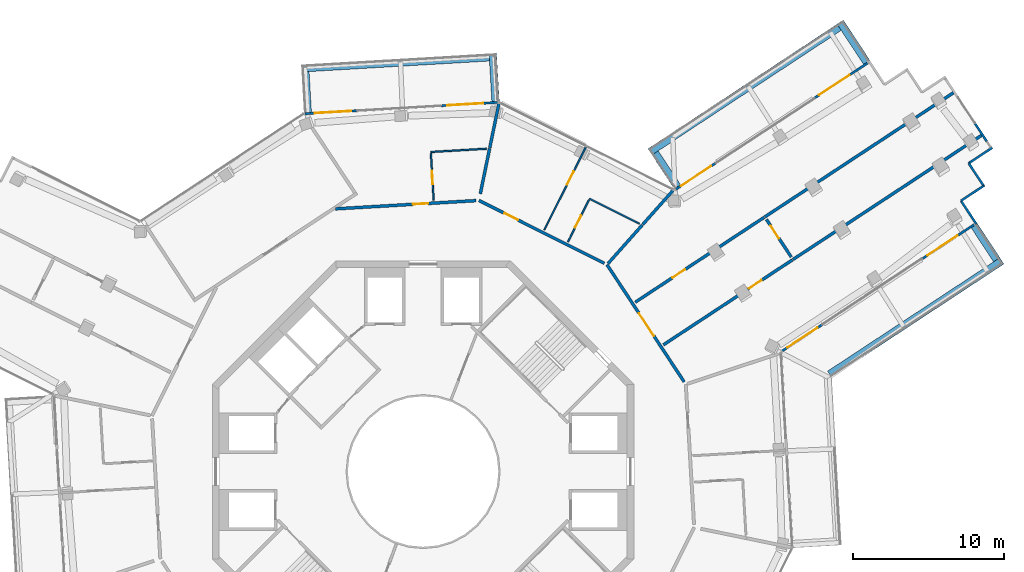
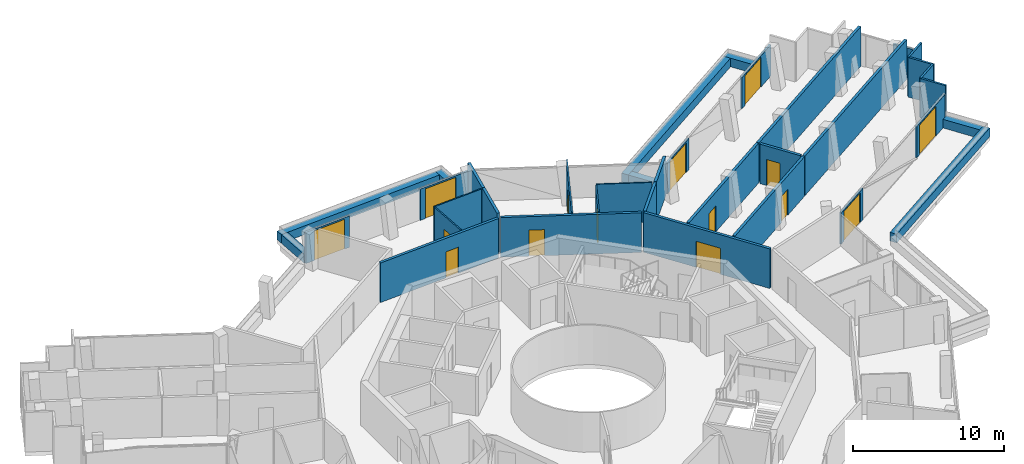
# One storey, part 22 of 26: 36 walls, 15 doors, 15 openings.
"""IFC4 building model written with IfcOpenShell, lengths in metres."""

from ifc_helpers import new_model, si_unit, direction, frame, frame_2d, origin, place, context, subcontext, project, spatial, rectangle, extrude, material, layer, layer_set, type_object, element, fill, save


model = new_model("IFC4")

# Units and contexts
model_context = context("Model", 3, precision=1e-05, world=origin(), true_north=direction((0.0, 1.0)))
body_context = subcontext(model_context, "Body", "Model", "MODEL_VIEW")
ifc_project = project(units=[si_unit("LENGTHUNIT", "METRE"), si_unit("AREAUNIT", "SQUARE_METRE"), si_unit("VOLUMEUNIT", "CUBIC_METRE"), si_unit("PLANEANGLEUNIT", "RADIAN"), si_unit("MASSUNIT", "GRAM", prefix="KILO")], contexts=[model_context])

# Site, building, storey
site_placement = place(None, origin())
site = spatial("IfcSite", under=ifc_project, at=site_placement, CompositionType="ELEMENT")
building_placement = place(site_placement, origin())
building = spatial("IfcBuilding", under=site, at=building_placement, Name="Verdalira Terraces Hotel", CompositionType="ELEMENT")
storey_placement = place(building_placement, frame((0.0, 0.0, 291.5)))
storey = spatial("IfcBuildingStorey", under=building, at=storey_placement, Name="L72", CompositionType="ELEMENT", Elevation=291.5)

# Walls
ifc_material_1 = material(Name="Concrete C40", Category="concrete")
ifc_layer_1 = layer(ifc_material_1, 0.5)
ifc_layer_set_1 = layer_set([ifc_layer_1], Name="Balcony planter trough with tree")
wall_type_1 = type_object("IfcWallType", Name="Balcony planter trough with tree", PredefinedType="SOLIDWALL", material=ifc_layer_set_1)
wall_1_placement = place(storey_placement, frame((27.000977, 6.462646, 0.0), z_axis=(0.0, 0.0, 1.0), x_axis=(0.835235945, 0.549891731, 0.0)))
element("IfcWall", 1, at=wall_1_placement, inside=storey, type_object=wall_type_1, Name="Balcony planter", PredefinedType="SOLIDWALL", context=body_context, shape_type="SweptSolid", body=[
    extrude(rectangle(XDim=13.699951, YDim=0.5, at=frame_2d((6.850098, 0.0))), origin(), (0.0, 0.0, 1.0), 0.699951),
])
wall_2_placement = place(storey_placement, frame((38.097412, 14.067627, 0.0), z_axis=(0.0, 0.0, 1.0), x_axis=(-0.549910541, 0.835223561, 0.0)))
element("IfcWall", 2, at=wall_2_placement, inside=storey, type_object=wall_type_1, Name="Balcony planter", PredefinedType="SOLIDWALL", context=body_context, shape_type="SweptSolid", body=[
    extrude(rectangle(XDim=2.698975, YDim=0.5, at=frame_2d((1.349609, 0.0))), origin(), (0.0, 0.0, 1.0), 0.699951),
])
wall_3_placement = place(storey_placement, frame((29.463379, 27.181396, 0.0), z_axis=(0.0, 0.0, 1.0), x_axis=(-0.549847748, 0.8352649, 0.0)))
element("IfcWall", 3, at=wall_3_placement, inside=storey, type_object=wall_type_1, Name="Balcony planter", PredefinedType="SOLIDWALL", context=body_context, shape_type="SweptSolid", body=[
    extrude(rectangle(XDim=3.199219, YDim=0.5, at=frame_2d((1.599609, 0.0))), origin(), (0.0, 0.0, 1.0), 0.699951),
])
wall_4_placement = place(storey_placement, frame((27.633057, 29.50708, 0.0), z_axis=(0.0, 0.0, 1.0), x_axis=(-0.835233933, -0.549894788, 0.0)))
element("IfcWall", 4, at=wall_4_placement, inside=storey, type_object=wall_type_1, Name="Balcony planter", PredefinedType="SOLIDWALL", context=body_context, shape_type="SweptSolid", body=[
    extrude(rectangle(XDim=15.047607, YDim=0.5, at=frame_2d((7.523926, 0.0))), origin(), (0.0, 0.0, 1.0), 0.699951),
])
wall_5_placement = place(storey_placement, frame((15.411133, 21.161133, 0.0), z_axis=(0.0, 0.0, 1.0), x_axis=(0.549910541, -0.835223561, 0.0)))
element("IfcWall", 5, at=wall_5_placement, inside=storey, type_object=wall_type_1, Name="Balcony planter", PredefinedType="SOLIDWALL", context=body_context, shape_type="SweptSolid", body=[
    extrude(rectangle(XDim=2.698975, YDim=0.5, at=frame_2d((1.349609, 0.0))), origin(), (0.0, 0.0, 1.0), 0.699951),
])
wall_6_placement = place(storey_placement, frame((4.817383, 24.583984, 0.0), z_axis=(0.0, 0.0, 1.0), x_axis=(-0.058614646, 0.998280684, 0.0)))
element("IfcWall", 6, at=wall_6_placement, inside=storey, type_object=wall_type_1, Name="Balcony planter", PredefinedType="SOLIDWALL", context=body_context, shape_type="SweptSolid", body=[
    extrude(rectangle(XDim=3.198975, YDim=0.5, at=frame_2d((1.599609, 0.0))), origin(), (0.0, 0.0, 1.0), 0.699951),
])
wall_7_placement = place(storey_placement, frame((4.39502, 27.513184, 0.0), z_axis=(0.0, 0.0, 1.0), x_axis=(-0.998280765, -0.058613253, 0.0)))
element("IfcWall", 7, at=wall_7_placement, inside=storey, type_object=wall_type_1, Name="Balcony planter", PredefinedType="SOLIDWALL", context=body_context, shape_type="SweptSolid", body=[
    extrude(rectangle(XDim=12.5, YDim=0.5, at=frame_2d((6.25, 0.0))), origin(), (0.0, 0.0, 1.0), 0.699951),
])
wall_8_placement = place(storey_placement, frame((-7.819336, 26.545654, 0.0), z_axis=(0.0, 0.0, 1.0), x_axis=(0.058615969, -0.998280606, 0.0)))
element("IfcWall", 8, at=wall_8_placement, inside=storey, type_object=wall_type_1, Name="Balcony planter", PredefinedType="SOLIDWALL", context=body_context, shape_type="SweptSolid", body=[
    extrude(rectangle(XDim=2.698975, YDim=0.5, at=frame_2d((1.349609, 0.0))), origin(), (0.0, 0.0, 1.0), 0.699951),
])

# Wall, opening, door
ifc_material_2 = material(Name="Moisture-resistant gypsum board partition")
ifc_layer_2 = layer(ifc_material_2, 0.10009765625)
ifc_layer_set_2 = layer_set([ifc_layer_2], Name="Bathroom partition 100 mm")
wall_type_2 = type_object("IfcWallType", Name="Bathroom partition 100 mm", PredefinedType="PARTITIONING", material=ifc_layer_set_2)
wall_9_placement = place(storey_placement, frame((0.520996, 21.125244, 0.0), z_axis=(0.0, 0.0, 1.0), x_axis=(0.05867124, -0.998277359, 0.0)))
wall_9 = element("IfcWall", 9, at=wall_9_placement, inside=storey, type_object=wall_type_2, Name="Bathroom partition", PredefinedType="PARTITIONING", context=body_context, shape_type="SweptSolid", body=[
    extrude(rectangle(XDim=3.100098, YDim=0.100098, at=frame_2d((1.550049, 0.0))), origin(), (0.0, 0.0, 1.0), 3.189941),
])
opening_1_placement = place(wall_9_placement, frame((1.149902, 0.0, 0.0)))
opening_1 = element("IfcOpeningElement", 10, at=opening_1_placement, cuts=wall_9, Name="Opening L72-132", PredefinedType="OPENING", context=body_context, shape_type="SweptSolid", body=[
    extrude(rectangle(XDim=0.899902, YDim=2.100098, at=frame_2d((0.449951, 1.050049))), frame((0.0, 0.060059, 0.0), z_axis=(0.0, -1.0, 0.0), x_axis=(1.0, 0.0, 0.0)), (0.0, 0.0, 1.0), 0.120117),
])
ifc_material_3 = material(Name="Timber door", Category="wood")
door_type_1 = type_object("IfcDoorType", Name="Bathroom door 900 x 2100", OperationType="NOTDEFINED", PredefinedType="DOOR", material=ifc_material_3)
door_1_placement = place(opening_1_placement, origin())
door_1 = element("IfcDoor", 11, at=door_1_placement, inside=storey, type_object=door_type_1, Name="Bathroom door 7211", OperationType="SINGLE_SWING_LEFT", OverallHeight=2.10009765625, OverallWidth=0.89990234375, PredefinedType="DOOR", context=body_context, shape_type="SweptSolid", body=[
    extrude(rectangle(XDim=0.899902, YDim=2.100098, at=frame_2d((0.449951, 1.050049))), frame((0.0, 0.024902, 0.0), z_axis=(0.0, -1.0, 0.0), x_axis=(1.0, 0.0, 0.0)), (0.0, 0.0, 1.0), 0.050049),
])
fill(opening_1, door_1)

# Wall
wall_10_placement = place(storey_placement, frame((0.515137, 21.225098, 0.0), z_axis=(0.0, 0.0, 1.0), x_axis=(0.998281865, 0.058594519, 0.0)))
element("IfcWall", 12, at=wall_10_placement, inside=storey, type_object=wall_type_2, Name="Bathroom partition", PredefinedType="PARTITIONING", context=body_context, shape_type="SweptSolid", body=[
    extrude(rectangle(XDim=3.704102, YDim=0.100098, at=frame_2d((1.852051, 0.0))), origin(), (0.0, 0.0, 1.0), 3.189941),
])

# Wall, opening, door
wall_11_placement = place(storey_placement, frame((10.809814, 21.549072, 0.0), z_axis=(0.0, 0.0, 1.0), x_axis=(-0.448388269, -0.89383889, 0.0)))
wall_11 = element("IfcWall", 13, at=wall_11_placement, inside=storey, type_object=wall_type_2, Name="Bathroom partition", PredefinedType="PARTITIONING", context=body_context, shape_type="SweptSolid", body=[
    extrude(rectangle(XDim=6.149902, YDim=0.100098, at=frame_2d((3.074951, 0.0))), origin(), (0.0, 0.0, 1.0), 3.189941),
])
opening_2_placement = place(wall_11_placement, frame((1.800049, 0.0, 0.0)))
opening_2 = element("IfcOpeningElement", 14, at=opening_2_placement, cuts=wall_11, Name="Opening L72-129", PredefinedType="OPENING", context=body_context, shape_type="SweptSolid", body=[
    extrude(rectangle(XDim=1.0, YDim=2.100098, at=frame_2d((0.5, 1.050049))), frame((0.0, 0.060059, 0.0), z_axis=(0.0, -1.0, 0.0), x_axis=(1.0, 0.0, 0.0)), (0.0, 0.0, 1.0), 0.120117),
])
ifc_material_4 = material(Name="Timber door", Category="wood")
door_type_2 = type_object("IfcDoorType", Name="Suite internal door 1000 x 2100", OperationType="NOTDEFINED", PredefinedType="DOOR", material=ifc_material_4)
door_2_placement = place(opening_2_placement, origin())
door_2 = element("IfcDoor", 15, at=door_2_placement, inside=storey, type_object=door_type_2, Name="Suite internal door 7210", OperationType="SINGLE_SWING_LEFT", OverallHeight=2.10009765625, OverallWidth=1.0, PredefinedType="DOOR", context=body_context, shape_type="SweptSolid", body=[
    extrude(rectangle(XDim=1.0, YDim=2.100098, at=frame_2d((0.5, 1.050049))), frame((0.0, 0.024902, 0.0), z_axis=(0.0, -1.0, 0.0), x_axis=(1.0, 0.0, 0.0)), (0.0, 0.0, 1.0), 0.050049),
])
fill(opening_2, door_2)

wall_12_placement = place(storey_placement, frame((11.013916, 18.034424, 0.0), z_axis=(0.0, 0.0, 1.0), x_axis=(-0.448410216, -0.89382788, 0.0)))
wall_12 = element("IfcWall", 16, at=wall_12_placement, inside=storey, type_object=wall_type_2, Name="Bathroom partition", PredefinedType="PARTITIONING", context=body_context, shape_type="SweptSolid", body=[
    extrude(rectangle(XDim=3.100098, YDim=0.100098, at=frame_2d((1.550049, 0.0))), origin(), (0.0, 0.0, 1.0), 3.189941),
])
opening_3_placement = place(wall_12_placement, frame((1.149902, 0.0, 0.0)))
opening_3 = element("IfcOpeningElement", 17, at=opening_3_placement, cuts=wall_12, Name="Opening L72-130", PredefinedType="OPENING", context=body_context, shape_type="SweptSolid", body=[
    extrude(rectangle(XDim=0.899902, YDim=2.100098, at=frame_2d((0.449951, 1.050049))), frame((0.0, 0.060059, 0.0), z_axis=(0.0, -1.0, 0.0), x_axis=(1.0, 0.0, 0.0)), (0.0, 0.0, 1.0), 0.120117),
])
door_3_placement = place(opening_3_placement, origin())
door_3 = element("IfcDoor", 18, at=door_3_placement, inside=storey, type_object=door_type_1, Name="Bathroom door 7210", OperationType="SINGLE_SWING_LEFT", OverallHeight=2.10009765625, OverallWidth=0.89990234375, PredefinedType="DOOR", context=body_context, shape_type="SweptSolid", body=[
    extrude(rectangle(XDim=0.899902, YDim=2.100098, at=frame_2d((0.449951, 1.050049))), frame((0.0, 0.024902, 0.0), z_axis=(0.0, -1.0, 0.0), x_axis=(1.0, 0.0, 0.0)), (0.0, 0.0, 1.0), 0.050049),
])
fill(opening_3, door_3)

# Walls
wall_13_placement = place(storey_placement, frame((14.369385, 16.462891, 0.0), z_axis=(0.0, 0.0, 1.0), x_axis=(-0.893833196, 0.448399619, 0.0)))
element("IfcWall", 19, at=wall_13_placement, inside=storey, type_object=wall_type_2, Name="Bathroom partition", PredefinedType="PARTITIONING", context=body_context, shape_type="SweptSolid", body=[
    extrude(rectangle(XDim=3.704102, YDim=0.100098, at=frame_2d((1.852051, 0.0))), origin(), (0.0, 0.0, 1.0), 3.189941),
])
ifc_material_5 = material(Name="Fire-rated gypsum board wall")
ifc_layer_3 = layer(ifc_material_5, 0.199951171875)
ifc_layer_set_3 = layer_set([ifc_layer_3], Name="Demising wall 200 mm")
wall_type_3 = type_object("IfcWallType", Name="Demising wall 200 mm", PredefinedType="SOLIDWALL", material=ifc_layer_set_3)
wall_14_placement = place(storey_placement, frame((3.799561, 18.44458, 0.0), z_axis=(0.0, 0.0, 1.0), x_axis=(0.20174701, 0.979437667, 0.0)))
element("IfcWall", 20, at=wall_14_placement, inside=storey, type_object=wall_type_3, Name="Demising wall", PredefinedType="SOLIDWALL", context=body_context, shape_type="SweptSolid", body=[
    extrude(rectangle(XDim=3.074951, YDim=0.199951, at=frame_2d((1.537598, 0.0))), origin(), (0.0, 0.0, 1.0), 3.189941),
])
wall_15_placement = place(storey_placement, frame((4.429199, 21.501221, 0.0), z_axis=(0.0, 0.0, 1.0), x_axis=(0.201787882, 0.979429248, 0.0)))
element("IfcWall", 21, at=wall_15_placement, inside=storey, type_object=wall_type_3, Name="Demising wall", PredefinedType="SOLIDWALL", context=body_context, shape_type="SweptSolid", body=[
    extrude(rectangle(XDim=3.011475, YDim=0.199951, at=frame_2d((1.505859, 0.0))), origin(), (0.0, 0.0, 1.0), 3.189941),
])
wall_16_placement = place(storey_placement, frame((12.284424, 13.816895, 0.0), z_axis=(0.0, 0.0, 1.0), x_axis=(0.66447022, 0.747314744, 0.0)))
element("IfcWall", 22, at=wall_16_placement, inside=storey, type_object=wall_type_3, Name="Demising wall", PredefinedType="SOLIDWALL", context=body_context, shape_type="SweptSolid", body=[
    extrude(rectangle(XDim=3.418457, YDim=0.199951, at=frame_2d((1.709229, 0.0))), origin(), (0.0, 0.0, 1.0), 3.189941),
])
wall_17_placement = place(storey_placement, frame((14.586426, 16.406006, 0.0), z_axis=(0.0, 0.0, 1.0), x_axis=(0.664464474, 0.747319853, 0.0)))
element("IfcWall", 23, at=wall_17_placement, inside=storey, type_object=wall_type_3, Name="Demising wall", PredefinedType="SOLIDWALL", context=body_context, shape_type="SweptSolid", body=[
    extrude(rectangle(XDim=3.011475, YDim=0.199951, at=frame_2d((1.505859, 0.0))), origin(), (0.0, 0.0, 1.0), 3.189941),
])

# Wall, opening, door
wall_18_placement = place(storey_placement, frame((14.094482, 11.249512, 0.0), z_axis=(0.0, 0.0, 1.0), x_axis=(0.835242091, 0.549882395, 0.0)))
wall_18 = element("IfcWall", 24, at=wall_18_placement, inside=storey, type_object=wall_type_3, Name="Demising wall", PredefinedType="SOLIDWALL", context=body_context, shape_type="SweptSolid", body=[
    extrude(rectangle(XDim=10.252197, YDim=0.199951, at=frame_2d((5.125977, 0.0))), origin(), (0.0, 0.0, 1.0), 3.189941),
])
opening_4_placement = place(wall_18_placement, frame((2.949951, 0.0, 0.0)))
opening_4 = element("IfcOpeningElement", 25, at=opening_4_placement, cuts=wall_18, Name="Opening L72-126", PredefinedType="OPENING", context=body_context, shape_type="SweptSolid", body=[
    extrude(rectangle(XDim=1.0, YDim=2.100098, at=frame_2d((0.5, 1.050049))), frame((0.0, 0.109863, 0.0), z_axis=(0.0, -1.0, 0.0), x_axis=(1.0, 0.0, 0.0)), (0.0, 0.0, 1.0), 0.219971),
])
ifc_material_6 = material(Name="Timber fire door", Category="wood")
door_type_3 = type_object("IfcDoorType", Name="Public room door 1000 x 2100", OperationType="NOTDEFINED", PredefinedType="DOOR", material=ifc_material_6)
door_4_placement = place(opening_4_placement, origin())
door_4 = element("IfcDoor", 26, at=door_4_placement, inside=storey, type_object=door_type_3, Name="Public room door 7209", OperationType="SINGLE_SWING_LEFT", OverallHeight=2.10009765625, OverallWidth=1.0, PredefinedType="DOOR", context=body_context, shape_type="SweptSolid", body=[
    extrude(rectangle(XDim=1.0, YDim=2.100098, at=frame_2d((0.5, 1.050049))), frame((0.0, 0.024902, 0.0), z_axis=(0.0, -1.0, 0.0), x_axis=(1.0, 0.0, 0.0)), (0.0, 0.0, 1.0), 0.050049),
])
fill(opening_4, door_4)

wall_19_placement = place(storey_placement, frame((24.522461, 14.054443, 0.0), z_axis=(0.0, 0.0, 1.0), x_axis=(-0.835223953, -0.549909946, 0.0)))
wall_19 = element("IfcWall", 27, at=wall_19_placement, inside=storey, type_object=wall_type_3, Name="Demising wall", PredefinedType="SOLIDWALL", context=body_context, shape_type="SweptSolid", body=[
    extrude(rectangle(XDim=10.251953, YDim=0.199951, at=frame_2d((5.125977, 0.0))), origin(), (0.0, 0.0, 1.0), 3.189941),
])
opening_5_placement = place(wall_19_placement, frame((2.449951, 0.0, 0.0)))
opening_5 = element("IfcOpeningElement", 28, at=opening_5_placement, cuts=wall_19, Name="Opening L72-125", PredefinedType="OPENING", context=body_context, shape_type="SweptSolid", body=[
    extrude(rectangle(XDim=1.0, YDim=2.100098, at=frame_2d((0.5, 1.050049))), frame((0.0, 0.109863, 0.0), z_axis=(0.0, -1.0, 0.0), x_axis=(1.0, 0.0, 0.0)), (0.0, 0.0, 1.0), 0.219971),
])
door_5_placement = place(opening_5_placement, origin())
door_5 = element("IfcDoor", 29, at=door_5_placement, inside=storey, type_object=door_type_3, Name="Public room door 7209", OperationType="SINGLE_SWING_LEFT", OverallHeight=2.10009765625, OverallWidth=1.0, PredefinedType="DOOR", context=body_context, shape_type="SweptSolid", body=[
    extrude(rectangle(XDim=1.0, YDim=2.100098, at=frame_2d((0.5, 1.050049))), frame((0.0, 0.024902, 0.0), z_axis=(0.0, -1.0, 0.0), x_axis=(1.0, 0.0, 0.0)), (0.0, 0.0, 1.0), 0.050049),
])
fill(opening_5, door_5)

wall_20_placement = place(storey_placement, frame((22.807617, 16.746338, 0.0), z_axis=(0.0, 0.0, 1.0), x_axis=(0.549850324, -0.835263205, 0.0)))
wall_20 = element("IfcWall", 30, at=wall_20_placement, inside=storey, type_object=wall_type_3, Name="Demising wall", PredefinedType="SOLIDWALL", context=body_context, shape_type="SweptSolid", body=[
    extrude(rectangle(XDim=2.991211, YDim=0.199951, at=frame_2d((1.495605, 0.0))), origin(), (0.0, 0.0, 1.0), 3.189941),
])
opening_6_placement = place(wall_20_placement, frame((0.5, 0.0, 0.0)))
opening_6 = element("IfcOpeningElement", 31, at=opening_6_placement, cuts=wall_20, Name="Opening L72-127", PredefinedType="OPENING", context=body_context, shape_type="SweptSolid", body=[
    extrude(rectangle(XDim=1.0, YDim=2.100098, at=frame_2d((0.5, 1.050049))), frame((0.0, 0.109863, 0.0), z_axis=(0.0, -1.0, 0.0), x_axis=(1.0, 0.0, 0.0)), (0.0, 0.0, 1.0), 0.219971),
])
door_6_placement = place(opening_6_placement, origin())
door_6 = element("IfcDoor", 32, at=door_6_placement, inside=storey, type_object=door_type_3, Name="Public room door 7209", OperationType="SINGLE_SWING_LEFT", OverallHeight=2.10009765625, OverallWidth=1.0, PredefinedType="DOOR", context=body_context, shape_type="SweptSolid", body=[
    extrude(rectangle(XDim=1.0, YDim=2.100098, at=frame_2d((0.5, 1.050049))), frame((0.0, 0.024902, 0.0), z_axis=(0.0, -1.0, 0.0), x_axis=(1.0, 0.0, 0.0)), (0.0, 0.0, 1.0), 0.050049),
])
fill(opening_6, door_6)

# Walls
for number, where, z_axis, x_axis, name in (
    (33, (35.223877, 25.1604, 0.0), (0.0, 0.0, 1.0), (-0.835236688, -0.549890603, 0.0), "Demising wall"),
    (34, (24.560791, 14.07959, 0.0), (0.0, 0.0, 1.0), (0.835229212, 0.549901957, 0.0), "Demising wall"),
):
    element("IfcWall", number, at=place(storey_placement, frame(where, z_axis=z_axis, x_axis=x_axis)), inside=storey, type_object=wall_type_3, Name=name, PredefinedType="SOLIDWALL", context=body_context, shape_type="SweptSolid", body=[
        extrude(rectangle(XDim=14.999512, YDim=0.199951, at=frame_2d((7.499756, 0.0))), origin(), (0.0, 0.0, 1.0), 3.189941),
    ])

# Wall, opening, door
ifc_material_7 = material(Name="Fire-rated gypsum board wall")
ifc_layer_4 = layer(ifc_material_7, 0.199951171875)
ifc_layer_set_4 = layer_set([ifc_layer_4], Name="Guest corridor wall 200 mm")
wall_type_4 = type_object("IfcWallType", Name="Guest corridor wall 200 mm", PredefinedType="SOLIDWALL", material=ifc_layer_set_4)
wall_21_placement = place(storey_placement, frame((-5.810791, 17.447754, 0.0), z_axis=(0.0, 0.0, 1.0), x_axis=(0.998279959, 0.058626982, 0.0)))
wall_21 = element("IfcWall", 35, at=wall_21_placement, inside=storey, type_object=wall_type_4, Name="Guest corridor wall", PredefinedType="SOLIDWALL", context=body_context, shape_type="SweptSolid", body=[
    extrude(rectangle(XDim=9.336426, YDim=0.199951, at=frame_2d((4.668213, 0.0))), origin(), (0.0, 0.0, 1.0), 3.189941),
])
opening_7_placement = place(wall_21_placement, frame((5.149902, 0.0, 0.0)))
opening_7 = element("IfcOpeningElement", 36, at=opening_7_placement, cuts=wall_21, Name="Opening L72-131", PredefinedType="OPENING", context=body_context, shape_type="SweptSolid", body=[
    extrude(rectangle(XDim=1.0, YDim=2.100098, at=frame_2d((0.5, 1.050049))), frame((0.0, 0.109863, 0.0), z_axis=(0.0, -1.0, 0.0), x_axis=(1.0, 0.0, 0.0)), (0.0, 0.0, 1.0), 0.219971),
])
ifc_material_8 = material(Name="Timber fire door", Category="wood")
door_type_4 = type_object("IfcDoorType", Name="Guest entry door 1000 x 2100", OperationType="NOTDEFINED", PredefinedType="DOOR", material=ifc_material_8)
door_7_placement = place(opening_7_placement, origin())
door_7 = element("IfcDoor", 37, at=door_7_placement, inside=storey, type_object=door_type_4, Name="Guest entry door 7211", OperationType="SINGLE_SWING_LEFT", OverallHeight=2.10009765625, OverallWidth=1.0, PredefinedType="DOOR", context=body_context, shape_type="SweptSolid", body=[
    extrude(rectangle(XDim=1.0, YDim=2.100098, at=frame_2d((0.5, 1.050049))), frame((0.0, 0.024902, 0.0), z_axis=(0.0, -1.0, 0.0), x_axis=(1.0, 0.0, 0.0)), (0.0, 0.0, 1.0), 0.050049),
])
fill(opening_7, door_7)

wall_22_placement = place(storey_placement, frame((3.709229, 18.006592, 0.0), z_axis=(0.0, 0.0, 1.0), x_axis=(0.893855207, -0.448355739, 0.0)))
wall_22 = element("IfcWall", 38, at=wall_22_placement, inside=storey, type_object=wall_type_4, Name="Guest corridor wall", PredefinedType="SOLIDWALL", context=body_context, shape_type="SweptSolid", body=[
    extrude(rectangle(XDim=9.316895, YDim=0.199951, at=frame_2d((4.658447, 0.0))), origin(), (0.0, 0.0, 1.0), 3.189941),
])
opening_8_placement = place(wall_22_placement, frame((1.899902, 0.0, 0.0)))
opening_8 = element("IfcOpeningElement", 39, at=opening_8_placement, cuts=wall_22, Name="Opening L72-128", PredefinedType="OPENING", context=body_context, shape_type="SweptSolid", body=[
    extrude(rectangle(XDim=1.0, YDim=2.100098, at=frame_2d((0.5, 1.050049))), frame((0.0, 0.109863, 0.0), z_axis=(0.0, -1.0, 0.0), x_axis=(1.0, 0.0, 0.0)), (0.0, 0.0, 1.0), 0.219971),
])
door_8_placement = place(opening_8_placement, origin())
door_8 = element("IfcDoor", 40, at=door_8_placement, inside=storey, type_object=door_type_4, Name="Guest entry door 7210", OperationType="SINGLE_SWING_LEFT", OverallHeight=2.10009765625, OverallWidth=1.0, PredefinedType="DOOR", context=body_context, shape_type="SweptSolid", body=[
    extrude(rectangle(XDim=1.0, YDim=2.100098, at=frame_2d((0.5, 1.050049))), frame((0.0, 0.024902, 0.0), z_axis=(0.0, -1.0, 0.0), x_axis=(1.0, 0.0, 0.0)), (0.0, 0.0, 1.0), 0.050049),
])
fill(opening_8, door_8)

wall_23_placement = place(storey_placement, frame((12.21582, 13.739502, 0.0), z_axis=(0.0, 0.0, 1.0), x_axis=(0.549889366, -0.835237502, 0.0)))
wall_23 = element("IfcWall", 41, at=wall_23_placement, inside=storey, type_object=wall_type_4, Name="Guest corridor wall", PredefinedType="SOLIDWALL", context=body_context, shape_type="SweptSolid", body=[
    extrude(rectangle(XDim=9.316406, YDim=0.199951, at=frame_2d((4.658203, 0.0))), origin(), (0.0, 0.0, 1.0), 3.189941),
])
opening_9_placement = place(wall_23_placement, frame((3.863037, 0.0, 0.0)))
opening_9 = element("IfcOpeningElement", 42, at=opening_9_placement, cuts=wall_23, Name="Opening L72-124", PredefinedType="OPENING", context=body_context, shape_type="SweptSolid", body=[
    extrude(rectangle(XDim=1.800049, YDim=2.100098, at=frame_2d((0.899902, 1.050049))), frame((0.0, 0.109863, 0.0), z_axis=(0.0, -1.0, 0.0), x_axis=(1.0, 0.0, 0.0)), (0.0, 0.0, 1.0), 0.219971),
])
ifc_material_9 = material(Name="Timber fire door", Category="wood")
door_type_5 = type_object("IfcDoorType", Name="Public room double door 1800 x 2100", OperationType="NOTDEFINED", PredefinedType="DOOR", material=ifc_material_9)
door_9_placement = place(opening_9_placement, origin())
door_9 = element("IfcDoor", 43, at=door_9_placement, inside=storey, type_object=door_type_5, Name="Public room double door 7209", OperationType="DOUBLE_DOOR_SINGLE_SWING", OverallHeight=2.10009765625, OverallWidth=1.800048828125, PredefinedType="DOOR", context=body_context, shape_type="SweptSolid", body=[
    extrude(rectangle(XDim=1.800049, YDim=2.100098, at=frame_2d((0.899902, 1.050049))), frame((0.0, 0.024902, 0.0), z_axis=(0.0, -1.0, 0.0), x_axis=(1.0, 0.0, 0.0)), (0.0, 0.0, 1.0), 0.050049),
])
fill(opening_9, door_9)

# Walls
ifc_material_10 = material(Name="Terracotta cladding", Category="masonry")
ifc_layer_5 = layer(ifc_material_10, 0.14990234375)
ifc_layer_set_5 = layer_set([ifc_layer_5], Name="Terracotta clad wall 150")
wall_type_5 = type_object("IfcWallType", Name="Terracotta clad wall 150", PredefinedType="SOLIDWALL", material=ifc_layer_set_5)
wall_24_placement = place(storey_placement, frame((36.758789, 16.418945, 0.0), z_axis=(0.0, 0.0, 1.0), x_axis=(-0.54991303, 0.835221922, 0.0)))
element("IfcWall", 44, at=wall_24_placement, inside=storey, type_object=wall_type_5, Name="Terracotta cladding wall", PredefinedType="SOLIDWALL", context=body_context, shape_type="SweptSolid", body=[
    extrude(rectangle(XDim=1.874756, YDim=0.149902, at=frame_2d((0.9375, 0.0))), origin(), (0.0, 0.0, 1.0), 3.189941),
])
wall_25_placement = place(storey_placement, frame((35.727783, 17.984863, 0.0), z_axis=(0.0, 0.0, 1.0), x_axis=(0.835187579, 0.549965189, 0.0)))
element("IfcWall", 45, at=wall_25_placement, inside=storey, type_object=wall_type_5, Name="Terracotta cladding wall", PredefinedType="SOLIDWALL", context=body_context, shape_type="SweptSolid", body=[
    extrude(rectangle(XDim=1.800049, YDim=0.149902, at=frame_2d((0.899902, 0.0))), origin(), (0.0, 0.0, 1.0), 3.189941),
])
wall_26_placement = place(storey_placement, frame((37.272461, 18.912109, 0.0), z_axis=(0.0, 0.0, 1.0), x_axis=(-0.549944055, 0.835201494, 0.0)))
element("IfcWall", 46, at=wall_26_placement, inside=storey, type_object=wall_type_5, Name="Terracotta cladding wall", PredefinedType="SOLIDWALL", context=body_context, shape_type="SweptSolid", body=[
    extrude(rectangle(XDim=1.875244, YDim=0.149902, at=frame_2d((0.9375, 0.0))), origin(), (0.0, 0.0, 1.0), 3.189941),
])
wall_27_placement = place(storey_placement, frame((36.241211, 20.478271, 0.0), z_axis=(0.0, 0.0, 1.0), x_axis=(0.835261294, 0.549853226, 0.0)))
element("IfcWall", 47, at=wall_27_placement, inside=storey, type_object=wall_type_5, Name="Terracotta cladding wall", PredefinedType="SOLIDWALL", context=body_context, shape_type="SweptSolid", body=[
    extrude(rectangle(XDim=1.875, YDim=0.149902, at=frame_2d((0.9375, 0.0))), origin(), (0.0, 0.0, 1.0), 3.189941),
])
ifc_material_11 = material(Name="Terracotta cladding", Category="masonry")
ifc_layer_6 = layer(ifc_material_11, 0.14990234375)
ifc_layer_set_6 = layer_set([ifc_layer_6], Name="Terracotta column pier 150")
wall_type_6 = type_object("IfcWallType", Name="Terracotta column pier 150", PredefinedType="SOLIDWALL", material=ifc_layer_set_6)
wall_28_placement = place(storey_placement, frame((37.439453, 21.931641, 0.0), z_axis=(0.0, 0.0, 1.0), x_axis=(-0.54991325, 0.835221777, 0.0)))
element("IfcWall", 48, at=wall_28_placement, inside=storey, type_object=wall_type_6, Name="Terracotta column pier", PredefinedType="SOLIDWALL", context=body_context, shape_type="SweptSolid", body=[
    extrude(rectangle(XDim=1.450439, YDim=0.149902, at=frame_2d((0.725098, 0.0))), origin(), (0.0, 0.0, 1.0), 2.524902),
])

# Wall, opening, door
ifc_material_12 = material(Name="Terracotta cladding", Category="masonry")
ifc_layer_7 = layer(ifc_material_12, 0.14990234375)
ifc_layer_set_7 = layer_set([ifc_layer_7], Name="Terracotta door pier 150")
wall_type_7 = type_object("IfcWallType", Name="Terracotta door pier 150", PredefinedType="SOLIDWALL", material=ifc_layer_set_7)
wall_29_placement = place(storey_placement, frame((23.852783, 8.011719, 0.0), z_axis=(0.0, 0.0, 1.0), x_axis=(0.83522898, 0.54990231, 0.0)))
wall_29 = element("IfcWall", 49, at=wall_29_placement, inside=storey, type_object=wall_type_7, Name="Terracotta door pier", PredefinedType="SOLIDWALL", context=body_context, shape_type="SweptSolid", body=[
    extrude(rectangle(XDim=3.200195, YDim=0.149902, at=frame_2d((1.600098, 0.0))), origin(), (0.0, 0.0, 1.0), 2.524902),
])
opening_10_placement = place(wall_29_placement, frame((0.399902, 0.0, 0.0)))
opening_10 = element("IfcOpeningElement", 50, at=opening_10_placement, cuts=wall_29, Name="Opening L72-B12", PredefinedType="OPENING", context=body_context, shape_type="SweptSolid", body=[
    extrude(rectangle(XDim=2.399902, YDim=2.399902, at=frame_2d((1.199951, 1.199951))), frame((0.0, 0.084961, 0.0), z_axis=(0.0, -1.0, 0.0), x_axis=(1.0, 0.0, 0.0)), (0.0, 0.0, 1.0), 0.169922),
])
ifc_material_13 = material(Name="Clear glass", Category="glass")
door_type_6 = type_object("IfcDoorType", Name="Balcony sliding door 2400x2400", OperationType="NOTDEFINED", PredefinedType="DOOR", material=ifc_material_13)
door_10_placement = place(opening_10_placement, origin())
door_10 = element("IfcDoor", 51, at=door_10_placement, inside=storey, type_object=door_type_6, Name="Balcony sliding door", OperationType="SLIDING_TO_LEFT", OverallHeight=2.39990234375, OverallWidth=2.39990234375, PredefinedType="DOOR", context=body_context, shape_type="SweptSolid", body=[
    extrude(rectangle(XDim=2.399902, YDim=2.399902, at=frame_2d((1.199951, 1.199951))), frame((0.0, 0.024902, 0.0), z_axis=(0.0, -1.0, 0.0), x_axis=(1.0, 0.0, 0.0)), (0.0, 0.0, 1.0), 0.050049),
])
fill(opening_10, door_10)

wall_30_placement = place(storey_placement, frame((33.155273, 14.13623, 0.0), z_axis=(0.0, 0.0, 1.0), x_axis=(0.83522729, 0.549904878, 0.0)))
wall_30 = element("IfcWall", 52, at=wall_30_placement, inside=storey, type_object=wall_type_7, Name="Terracotta door pier", PredefinedType="SOLIDWALL", context=body_context, shape_type="SweptSolid", body=[
    extrude(rectangle(XDim=4.120117, YDim=0.149902, at=frame_2d((2.060059, 0.0))), origin(), (0.0, 0.0, 1.0), 2.524902),
])
opening_11_placement = place(wall_30_placement, frame((0.399902, 0.0, 0.0)))
opening_11 = element("IfcOpeningElement", 53, at=opening_11_placement, cuts=wall_30, Name="Opening L72-B13", PredefinedType="OPENING", context=body_context, shape_type="SweptSolid", body=[
    extrude(rectangle(XDim=2.399902, YDim=2.399902, at=frame_2d((1.199951, 1.199951))), frame((0.0, 0.084961, 0.0), z_axis=(0.0, -1.0, 0.0), x_axis=(1.0, 0.0, 0.0)), (0.0, 0.0, 1.0), 0.169922),
])
door_11_placement = place(opening_11_placement, origin())
door_11 = element("IfcDoor", 54, at=door_11_placement, inside=storey, type_object=door_type_6, Name="Balcony sliding door", OperationType="SLIDING_TO_RIGHT", OverallHeight=2.39990234375, OverallWidth=2.39990234375, PredefinedType="DOOR", context=body_context, shape_type="SweptSolid", body=[
    extrude(rectangle(XDim=2.399902, YDim=2.399902, at=frame_2d((1.199951, 1.199951))), frame((0.0, 0.024902, 0.0), z_axis=(0.0, -1.0, 0.0), x_axis=(1.0, 0.0, 0.0)), (0.0, 0.0, 1.0), 0.050049),
])
fill(opening_11, door_11)

wall_31_placement = place(storey_placement, frame((29.530273, 27.134521, 0.0), z_axis=(0.0, 0.0, 1.0), x_axis=(-0.835236991, -0.549890142, 0.0)))
wall_31 = element("IfcWall", 55, at=wall_31_placement, inside=storey, type_object=wall_type_7, Name="Terracotta door pier", PredefinedType="SOLIDWALL", context=body_context, shape_type="SweptSolid", body=[
    extrude(rectangle(XDim=4.26001, YDim=0.149902, at=frame_2d((2.129883, 0.0))), origin(), (0.0, 0.0, 1.0), 2.524902),
])
opening_12_placement = place(wall_31_placement, frame((1.459961, 0.0, 0.0)))
opening_12 = element("IfcOpeningElement", 56, at=opening_12_placement, cuts=wall_31, Name="Opening L72-B14", PredefinedType="OPENING", context=body_context, shape_type="SweptSolid", body=[
    extrude(rectangle(XDim=2.399902, YDim=2.399902, at=frame_2d((1.199951, 1.199951))), frame((0.0, 0.084961, 0.0), z_axis=(0.0, -1.0, 0.0), x_axis=(1.0, 0.0, 0.0)), (0.0, 0.0, 1.0), 0.169922),
])
door_12_placement = place(opening_12_placement, origin())
door_12 = element("IfcDoor", 57, at=door_12_placement, inside=storey, type_object=door_type_6, Name="Balcony sliding door", OperationType="SLIDING_TO_LEFT", OverallHeight=2.39990234375, OverallWidth=2.39990234375, PredefinedType="DOOR", context=body_context, shape_type="SweptSolid", body=[
    extrude(rectangle(XDim=2.399902, YDim=2.399902, at=frame_2d((1.199951, 1.199951))), frame((0.0, 0.024902, 0.0), z_axis=(0.0, -1.0, 0.0), x_axis=(1.0, 0.0, 0.0)), (0.0, 0.0, 1.0), 0.050049),
])
fill(opening_12, door_12)

wall_32_placement = place(storey_placement, frame((19.459473, 20.50415, 0.0), z_axis=(0.0, 0.0, 1.0), x_axis=(-0.83522898, -0.54990231, 0.0)))
wall_32 = element("IfcWall", 58, at=wall_32_placement, inside=storey, type_object=wall_type_7, Name="Terracotta door pier", PredefinedType="SOLIDWALL", context=body_context, shape_type="SweptSolid", body=[
    extrude(rectangle(XDim=3.200195, YDim=0.149902, at=frame_2d((1.600098, 0.0))), origin(), (0.0, 0.0, 1.0), 2.524902),
])
opening_13_placement = place(wall_32_placement, frame((0.399902, 0.0, 0.0)))
opening_13 = element("IfcOpeningElement", 59, at=opening_13_placement, cuts=wall_32, Name="Opening L72-B15", PredefinedType="OPENING", context=body_context, shape_type="SweptSolid", body=[
    extrude(rectangle(XDim=2.399902, YDim=2.399902, at=frame_2d((1.199951, 1.199951))), frame((0.0, 0.084961, 0.0), z_axis=(0.0, -1.0, 0.0), x_axis=(1.0, 0.0, 0.0)), (0.0, 0.0, 1.0), 0.169922),
])
door_13_placement = place(opening_13_placement, origin())
door_13 = element("IfcDoor", 60, at=door_13_placement, inside=storey, type_object=door_type_6, Name="Balcony sliding door", OperationType="SLIDING_TO_RIGHT", OverallHeight=2.39990234375, OverallWidth=2.39990234375, PredefinedType="DOOR", context=body_context, shape_type="SweptSolid", body=[
    extrude(rectangle(XDim=2.399902, YDim=2.399902, at=frame_2d((1.199951, 1.199951))), frame((0.0, 0.024902, 0.0), z_axis=(0.0, -1.0, 0.0), x_axis=(1.0, 0.0, 0.0)), (0.0, 0.0, 1.0), 0.050049),
])
fill(opening_13, door_13)

wall_33_placement = place(storey_placement, frame((4.971436, 24.516846, 0.0), z_axis=(0.0, 0.0, 1.0), x_axis=(-0.998281258, -0.058604861, 0.0)))
wall_33 = element("IfcWall", 61, at=wall_33_placement, inside=storey, type_object=wall_type_7, Name="Terracotta door pier", PredefinedType="SOLIDWALL", context=body_context, shape_type="SweptSolid", body=[
    extrude(rectangle(XDim=3.786865, YDim=0.149902, at=frame_2d((1.893555, 0.0))), origin(), (0.0, 0.0, 1.0), 2.524902),
])
opening_14_placement = place(wall_33_placement, frame((0.986572, 0.0, 0.0)))
opening_14 = element("IfcOpeningElement", 62, at=opening_14_placement, cuts=wall_33, Name="Opening L72-B16", PredefinedType="OPENING", context=body_context, shape_type="SweptSolid", body=[
    extrude(rectangle(XDim=2.399902, YDim=2.399902, at=frame_2d((1.199951, 1.199951))), frame((0.0, 0.084961, 0.0), z_axis=(0.0, -1.0, 0.0), x_axis=(1.0, 0.0, 0.0)), (0.0, 0.0, 1.0), 0.169922),
])
door_14_placement = place(opening_14_placement, origin())
door_14 = element("IfcDoor", 63, at=door_14_placement, inside=storey, type_object=door_type_6, Name="Balcony sliding door", OperationType="SLIDING_TO_LEFT", OverallHeight=2.39990234375, OverallWidth=2.39990234375, PredefinedType="DOOR", context=body_context, shape_type="SweptSolid", body=[
    extrude(rectangle(XDim=2.399902, YDim=2.399902, at=frame_2d((1.199951, 1.199951))), frame((0.0, 0.024902, 0.0), z_axis=(0.0, -1.0, 0.0), x_axis=(1.0, 0.0, 0.0)), (0.0, 0.0, 1.0), 0.050049),
])
fill(opening_14, door_14)

wall_34_placement = place(storey_placement, frame((-4.385254, 23.967529, 0.0), z_axis=(0.0, 0.0, 1.0), x_axis=(-0.998282135, -0.058589922, 0.0)))
wall_34 = element("IfcWall", 64, at=wall_34_placement, inside=storey, type_object=wall_type_7, Name="Terracotta door pier", PredefinedType="SOLIDWALL", context=body_context, shape_type="SweptSolid", body=[
    extrude(rectangle(XDim=3.466797, YDim=0.149902, at=frame_2d((1.733398, 0.0))), origin(), (0.0, 0.0, 1.0), 2.524902),
])
opening_15_placement = place(wall_34_placement, frame((0.399902, 0.0, 0.0)))
opening_15 = element("IfcOpeningElement", 65, at=opening_15_placement, cuts=wall_34, Name="Opening L72-B17", PredefinedType="OPENING", context=body_context, shape_type="SweptSolid", body=[
    extrude(rectangle(XDim=2.399902, YDim=2.399902, at=frame_2d((1.199951, 1.199951))), frame((0.0, 0.084961, 0.0), z_axis=(0.0, -1.0, 0.0), x_axis=(1.0, 0.0, 0.0)), (0.0, 0.0, 1.0), 0.169922),
])
door_15_placement = place(opening_15_placement, origin())
door_15 = element("IfcDoor", 66, at=door_15_placement, inside=storey, type_object=door_type_6, Name="Balcony sliding door", OperationType="SLIDING_TO_RIGHT", OverallHeight=2.39990234375, OverallWidth=2.39990234375, PredefinedType="DOOR", context=body_context, shape_type="SweptSolid", body=[
    extrude(rectangle(XDim=2.399902, YDim=2.399902, at=frame_2d((1.199951, 1.199951))), frame((0.0, 0.024902, 0.0), z_axis=(0.0, -1.0, 0.0), x_axis=(1.0, 0.0, 0.0)), (0.0, 0.0, 1.0), 0.050049),
])
fill(opening_15, door_15)

save(model, "model.ifc")
